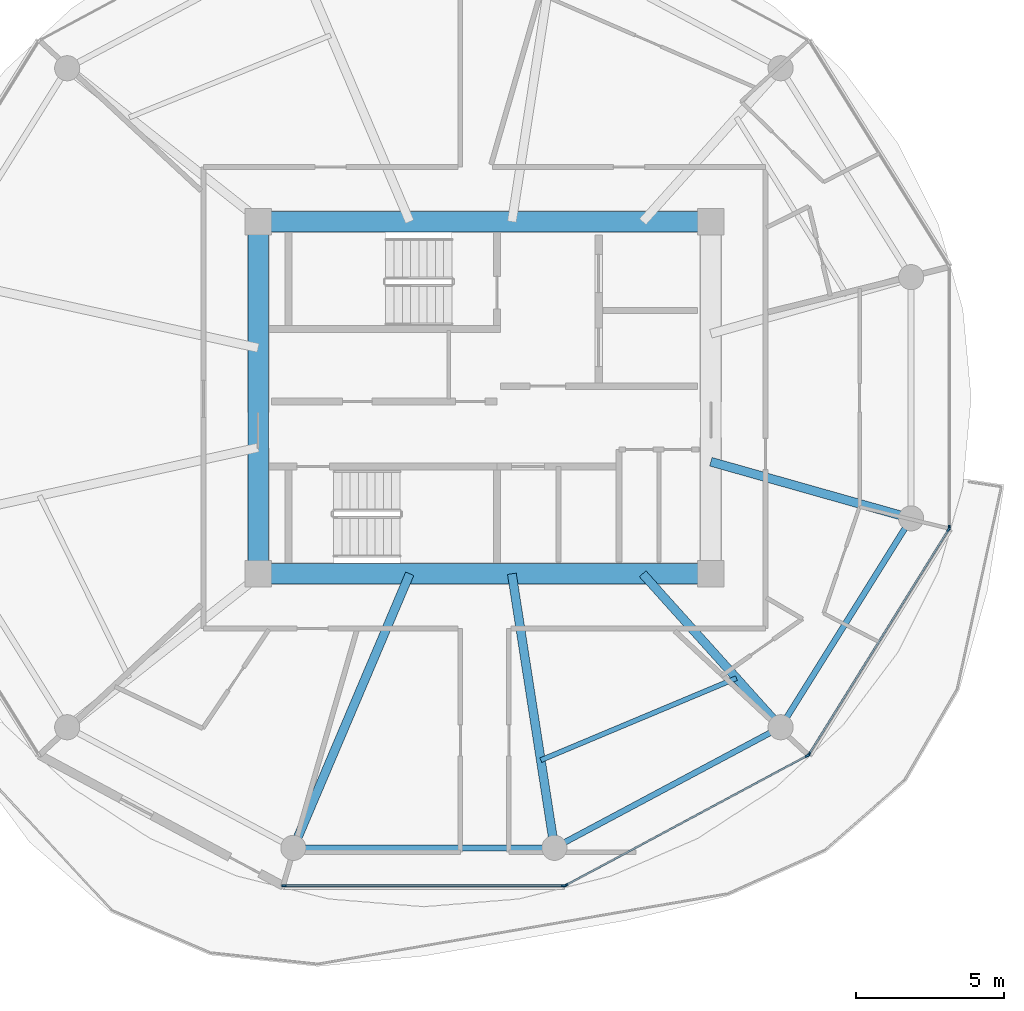
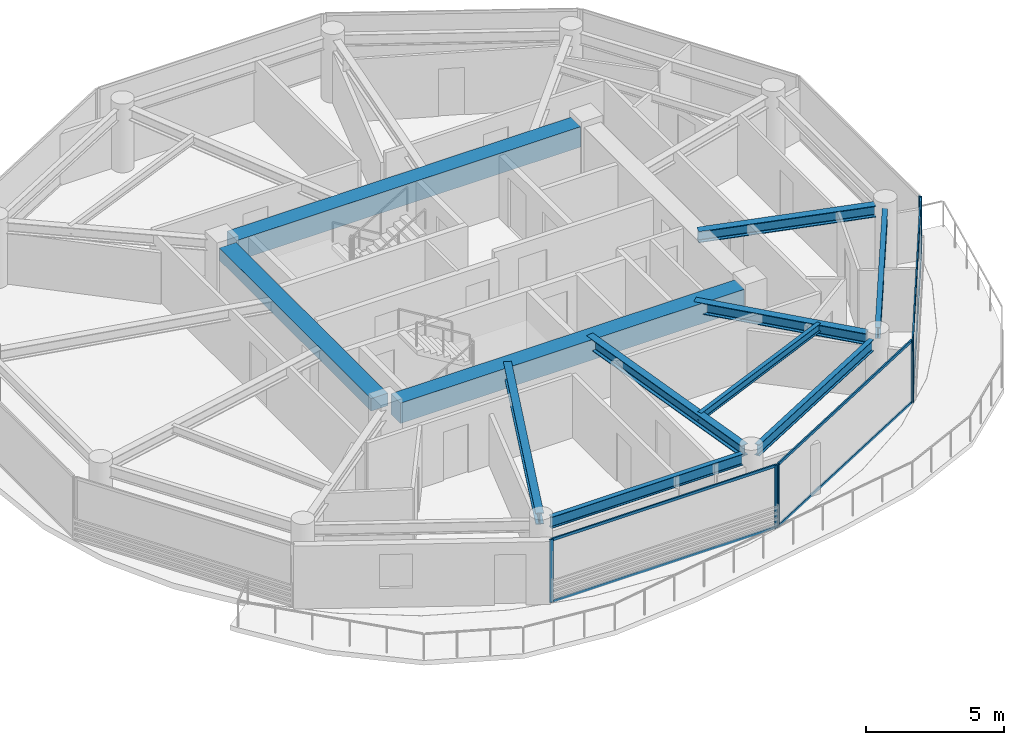
# One storey, part 10 of 22: 13 members, 11 beams, 4 elements without a shape of their own.
"""IFC4 building model written with IfcOpenShell, lengths in metres."""

from ifc_helpers import new_model, si_unit, direction, frame, origin, origin_2d, place, context, subcontext, project, spatial, rectangle, i_section, extrude, source, transform, mapped, material, layer, layer_set, material_profile, profile_set, type_object, type_shapes, element, aggregate, save


model = new_model("IFC4")

# Units and contexts
model_context = context("Model", 3, precision=1e-05, world=origin(), true_north=direction((0.0, 1.0)))
body_context = subcontext(model_context, "Body", "Model", "MODEL_VIEW")
ifc_project = project(units=[si_unit("LENGTHUNIT", "METRE"), si_unit("AREAUNIT", "SQUARE_METRE"), si_unit("VOLUMEUNIT", "CUBIC_METRE"), si_unit("PLANEANGLEUNIT", "RADIAN"), si_unit("MASSUNIT", "GRAM", prefix="KILO")], contexts=[model_context])

# Site, building, storey
site_placement = place(None, origin())
site = spatial("IfcSite", under=ifc_project, at=site_placement, CompositionType="ELEMENT")
building_placement = place(site_placement, origin())
building = spatial("IfcBuilding", under=site, at=building_placement, Name="Norrkilde Senior Care Towers", CompositionType="ELEMENT")
storey_placement = place(building_placement, frame((0.0, 0.0, 87.10009765625)))
storey = spatial("IfcBuildingStorey", under=building, at=storey_placement, Name="L26", CompositionType="ELEMENT", Elevation=87.10009765625)

# Beams
ifc_material_1 = material(Name="Concrete C60/75", Category="concrete")
ifc_material_profile_1 = material_profile(ifc_material_1, rectangle(XDim=0.699951171875, YDim=0.89990234375, at=origin_2d()), Name="RC BM 700x900")
ifc_profile_set_1 = profile_set([ifc_material_profile_1], Name="Concrete C60/75")
beam_type_1 = type_object("IfcBeamType", Name="Core Coupling Girder 700x900", PredefinedType="USERDEFINED", material=ifc_profile_set_1)
shared_shape_1 = source(origin(), body_context, "Body", "SweptSolid", [
    extrude(rectangle(XDim=0.699951171875, YDim=0.89990234375, at=origin_2d()), origin(), (0.0, 0.0, 1.0), 14.43994140625),
])
type_shapes(beam_type_1, [shared_shape_1])
for number, where, z_axis, x_axis, name in (
    (1, (20.780029296875, 5.949951171875, 2.33984375), (1.0, 0.0, 0.0), (0.0, 1.0, 0.0), "L26 Core E N Coupling Girder"),
    (2, (20.780029296875, -5.949951171875, 2.33984375), (1.0, 0.0, 0.0), (0.0, 1.0, 0.0), "L26 Core E S Coupling Girder"),
):
    element("IfcBeam", number, at=place(storey_placement, frame(where, z_axis=z_axis, x_axis=x_axis)), inside=storey, type_object=beam_type_1, Name=name, ObjectType="GIRDER", PredefinedType="USERDEFINED", context=body_context, shape_type="MappedRepresentation", body=[
        mapped(shared_shape_1, transform((0.0, 0.0, 0.0), x_axis=(1.0, 0.0, 0.0), y_axis=(0.0, 1.0, 0.0), z_axis=(0.0, 0.0, 1.0), scale=1.0)),
    ])
ifc_material_profile_2 = material_profile(ifc_material_1, rectangle(XDim=0.699951171875, YDim=0.550048828125, at=origin_2d()), Name="RC BM 700x550")
ifc_profile_set_2 = profile_set([ifc_material_profile_2], Name="Concrete C60/75")
beam_type_2 = type_object("IfcBeamType", Name="Core Portal Coupling Beam 700x550", PredefinedType="USERDEFINED", material=ifc_profile_set_2)
shared_shape_2 = source(origin(), body_context, "Body", "SweptSolid", [
    extrude(rectangle(XDim=0.699951171875, YDim=0.550048828125, at=origin_2d()), origin(), (0.0, 0.0, 1.0), 11.0400390625),
])
type_shapes(beam_type_2, [shared_shape_2])
beam_1_placement = place(storey_placement, frame((20.35009765625, -5.52001953125, 2.514892578125), z_axis=(0.0, 1.0, 0.0), x_axis=(-1.0, 0.0, 0.0)))
element("IfcBeam", 3, at=beam_1_placement, inside=storey, type_object=beam_type_2, Name="L26 Core E W Coupling Girder", ObjectType="GIRDER", PredefinedType="USERDEFINED", context=body_context, shape_type="MappedRepresentation", body=[
    mapped(shared_shape_2, transform((0.0, 0.0, 0.0), x_axis=(1.0, 0.0, 0.0), y_axis=(0.0, 1.0, 0.0), z_axis=(0.0, 0.0, 1.0), scale=1.0)),
])
ifc_material_2 = material(Name="Steel S355", Category="steel")
ifc_material_profile_3 = material_profile(ifc_material_2, i_section(OverallWidth=0.199951171875, OverallDepth=0.5, WebThickness=0.01025390625, FlangeThickness=0.01611328125, FilletRadius=0.02099609375, at=origin_2d()), Name="IPE 500")
ifc_profile_set_3 = profile_set([ifc_material_profile_3], Name="Steel S355")
beam_type_3 = type_object("IfcBeamType", Name="Perimeter Ring Spandrel Z2 IPE500", PredefinedType="SPANDREL", material=ifc_profile_set_3)
shared_shape_3 = source(origin(), body_context, "Body", "SweptSolid", [
    extrude(i_section(OverallWidth=0.199951171875, OverallDepth=0.5, WebThickness=0.01025390625, FlangeThickness=0.01611328125, FilletRadius=0.02099609375, at=origin_2d()), origin(), (0.0, 0.0, 1.0), 7.892333984375),
])
beam_2_placement = place(storey_placement, frame((30.70263671875, -15.0322265625, 2.539794921875), z_axis=(0.882350372282, 0.47059305194, 0.0), x_axis=(-0.47059305194, 0.882350372282, 0.0)))
element("IfcBeam", 4, at=beam_2_placement, inside=storey, type_object=beam_type_3, Name="L26 Drum E Perimeter Spandrel 10", PredefinedType="SPANDREL", context=body_context, shape_type="MappedRepresentation", body=[
    mapped(shared_shape_3, transform((0.0, 0.0, 0.0), x_axis=(1.0, 0.0, 0.0), y_axis=(0.0, 1.0, 0.0), z_axis=(0.0, 0.0, 1.0), scale=1.0)),
])
shared_shape_4 = source(origin(), body_context, "Body", "SweptSolid", [
    extrude(i_section(OverallWidth=0.199951171875, OverallDepth=0.5, WebThickness=0.01025390625, FlangeThickness=0.01611328125, FilletRadius=0.02099609375, at=origin_2d()), origin(), (0.0, 0.0, 1.0), 8.0556640625),
])
beam_3_placement = place(storey_placement, frame((21.922119140625, -15.21337890625, 2.539794921875), z_axis=(1.0, 0.0, 0.0), x_axis=(0.0, 1.0, 0.0)))
element("IfcBeam", 5, at=beam_3_placement, inside=storey, type_object=beam_type_3, Name="L26 Drum E Perimeter Spandrel 09", PredefinedType="SPANDREL", context=body_context, shape_type="MappedRepresentation", body=[
    mapped(shared_shape_4, transform((0.0, 0.0, 0.0), x_axis=(1.0, 0.0, 0.0), y_axis=(0.0, 1.0, 0.0), z_axis=(0.0, 0.0, 1.0), scale=1.0)),
])
ifc_material_profile_4 = material_profile(ifc_material_2, i_section(OverallWidth=0.300048828125, OverallDepth=0.5, WebThickness=0.014404296875, FlangeThickness=0.028076171875, FilletRadius=0.027099609375, at=origin_2d()), Name="HEB 500")
ifc_profile_set_4 = profile_set([ifc_material_profile_4], Name="Steel S355")
beam_type_4 = type_object("IfcBeamType", Name="Radial Floor Beam Z2 HEB500", PredefinedType="BEAM", material=ifc_profile_set_4)
shared_shape_5 = source(origin(), body_context, "Body", "SweptSolid", [
    extrude(i_section(OverallWidth=0.300048828125, OverallDepth=0.5, WebThickness=0.014404296875, FlangeThickness=0.028076171875, FilletRadius=0.027099609375, at=origin_2d()), origin(), (0.0, 0.0, 1.0), 9.679443359375),
])
beam_4_placement = place(storey_placement, frame((25.472412109375, -5.949951171875, 2.539794921875), z_axis=(-0.390998033479, -0.920391513333, 0.0), x_axis=(0.920391513333, -0.390998033479, 0.0)))
element("IfcBeam", 6, at=beam_4_placement, inside=storey, type_object=beam_type_4, Name="L26 Drum E Radial Floor Beam 09", PredefinedType="BEAM", context=body_context, shape_type="MappedRepresentation", body=[
    mapped(shared_shape_5, transform((0.0, 0.0, 0.0), x_axis=(1.0, 0.0, 0.0), y_axis=(0.0, 1.0, 0.0), z_axis=(0.0, 0.0, 1.0), scale=1.0)),
])
shared_shape_6 = source(origin(), body_context, "Body", "SweptSolid", [
    extrude(i_section(OverallWidth=0.300048828125, OverallDepth=0.5, WebThickness=0.014404296875, FlangeThickness=0.028076171875, FilletRadius=0.027099609375, at=origin_2d()), origin(), (0.0, 0.0, 1.0), 8.989501953125),
])
beam_5_placement = place(storey_placement, frame((28.924072265625, -5.949951171875, 2.539794921875), z_axis=(0.153471298636, -0.988153105796, 0.0), x_axis=(0.988153105796, 0.153471298636, 0.0)))
element("IfcBeam", 7, at=beam_5_placement, inside=storey, type_object=beam_type_4, Name="L26 Drum E Radial Floor Beam 10", PredefinedType="BEAM", context=body_context, shape_type="MappedRepresentation", body=[
    mapped(shared_shape_6, transform((0.0, 0.0, 0.0), x_axis=(1.0, 0.0, 0.0), y_axis=(0.0, 1.0, 0.0), z_axis=(0.0, 0.0, 1.0), scale=1.0)),
])
shared_shape_7 = source(origin(), body_context, "Body", "SweptSolid", [
    extrude(i_section(OverallWidth=0.199951171875, OverallDepth=0.5, WebThickness=0.01025390625, FlangeThickness=0.01611328125, FilletRadius=0.02099609375, at=origin_2d()), origin(), (0.0, 0.0, 1.0), 7.556396484375),
])
type_shapes(beam_type_3, [shared_shape_3, shared_shape_4, shared_shape_7])
beam_6_placement = place(storey_placement, frame((38.210205078125, -10.810546875, 2.539794921875), z_axis=(0.530004748437, 0.847994673706, 0.0), x_axis=(-0.847994673706, 0.530004748437, 0.0)))
element("IfcBeam", 8, at=beam_6_placement, inside=storey, type_object=beam_type_3, Name="L26 Drum E Perimeter Spandrel 11", PredefinedType="SPANDREL", context=body_context, shape_type="MappedRepresentation", body=[
    mapped(shared_shape_7, transform((0.0, 0.0, 0.0), x_axis=(1.0, 0.0, 0.0), y_axis=(0.0, 1.0, 0.0), z_axis=(0.0, 0.0, 1.0), scale=1.0)),
])
shared_shape_8 = source(origin(), body_context, "Body", "SweptSolid", [
    extrude(i_section(OverallWidth=0.300048828125, OverallDepth=0.5, WebThickness=0.014404296875, FlangeThickness=0.028076171875, FilletRadius=0.027099609375, at=origin_2d()), origin(), (0.0, 0.0, 1.0), 6.587890625),
])
beam_7_placement = place(storey_placement, frame((33.345947265625, -5.949951171875, 2.539794921875), z_axis=(0.668315438605, -0.743877997068, 0.0), x_axis=(0.743877997068, 0.668315438605, 0.0)))
element("IfcBeam", 9, at=beam_7_placement, inside=storey, type_object=beam_type_4, Name="L26 Drum E Radial Floor Beam 11", PredefinedType="BEAM", context=body_context, shape_type="MappedRepresentation", body=[
    mapped(shared_shape_8, transform((0.0, 0.0, 0.0), x_axis=(1.0, 0.0, 0.0), y_axis=(0.0, 1.0, 0.0), z_axis=(0.0, 0.0, 1.0), scale=1.0)),
])
shared_shape_9 = source(origin(), body_context, "Body", "SweptSolid", [
    extrude(i_section(OverallWidth=0.300048828125, OverallDepth=0.5, WebThickness=0.014404296875, FlangeThickness=0.028076171875, FilletRadius=0.027099609375, at=origin_2d()), origin(), (0.0, 0.0, 1.0), 6.6494140625),
])
type_shapes(beam_type_4, [shared_shape_5, shared_shape_6, shared_shape_8, shared_shape_9])
beam_8_placement = place(storey_placement, frame((35.64990234375, -2.162841796875, 2.539794921875), z_axis=(0.962289138357, -0.27202870106, 0.0), x_axis=(0.27202870106, 0.962289138357, 0.0)))
element("IfcBeam", 10, at=beam_8_placement, inside=storey, type_object=beam_type_4, Name="L26 Drum E Radial Floor Beam 12", PredefinedType="BEAM", context=body_context, shape_type="MappedRepresentation", body=[
    mapped(shared_shape_9, transform((0.0, 0.0, 0.0), x_axis=(1.0, 0.0, 0.0), y_axis=(0.0, 1.0, 0.0), z_axis=(0.0, 0.0, 1.0), scale=1.0)),
])
ifc_material_profile_5 = material_profile(ifc_material_2, i_section(OverallWidth=0.169921875, OverallDepth=0.360107421875, WebThickness=0.008056640625, FlangeThickness=0.0126953125, FilletRadius=0.01806640625, at=origin_2d()), Name="IPE 360")
ifc_profile_set_5 = profile_set([ifc_material_profile_5], Name="Steel S355")
beam_type_5 = type_object("IfcBeamType", Name="Secondary Floor Joist IPE360", PredefinedType="JOIST", material=ifc_profile_set_5)
shared_shape_10 = source(origin(), body_context, "Body", "SweptSolid", [
    extrude(i_section(OverallWidth=0.169921875, OverallDepth=0.360107421875, WebThickness=0.008056640625, FlangeThickness=0.0126953125, FilletRadius=0.01806640625, at=origin_2d()), origin(), (0.0, 0.0, 1.0), 7.169921875),
])
type_shapes(beam_type_5, [shared_shape_10])
beam_9_placement = place(storey_placement, frame((29.902587890625, -12.2490234375, 2.60986328125), z_axis=(0.922240600393, 0.386616444279, 0.0), x_axis=(-0.386616444279, 0.922240600393, 0.0)))
element("IfcBeam", 11, at=beam_9_placement, inside=storey, type_object=beam_type_5, Name="L26 Drum E Secondary Floor Joist 4", PredefinedType="JOIST", context=body_context, shape_type="MappedRepresentation", body=[
    mapped(shared_shape_10, transform((0.0, 0.0, 0.0), x_axis=(1.0, 0.0, 0.0), y_axis=(0.0, 1.0, 0.0), z_axis=(0.0, 0.0, 1.0), scale=1.0)),
])

# Curtain wall, members
ifc_material_3 = material(Name="Triple Low-E Insulated Glazing", Category="glass")
ifc_layer = layer(ifc_material_3, 0.195068359375)
ifc_layer_set = layer_set([ifc_layer], Name="Triple Low-E Insulated Glazing")
curtain_wall_type = type_object("IfcCurtainWallType", Name="CW3 Zone 2 Assisted Living Curtain Wall", PredefinedType="NOTDEFINED", material=ifc_layer_set)
curtain_wall_1_placement = place(storey_placement, origin())
curtain_wall_1 = element("IfcCurtainWall", 12, at=curtain_wall_1_placement, inside=storey, type_object=curtain_wall_type, Name="L26 Drum E Curtain Wall 08", PredefinedType="NOTDEFINED")
ifc_material_4 = material(Name="Anodised Aluminium", Category="aluminium")
ifc_material_profile_6 = material_profile(ifc_material_4, rectangle(XDim=0.06494140625, YDim=0.159912109375, at=origin_2d()), Name="ALU MULL 65x160")
ifc_profile_set_6 = profile_set([ifc_material_profile_6], Name="Anodised Aluminium")
member_type_1 = type_object("IfcMemberType", Name="Curtain Wall Mullion Z1-Z2 65x160", PredefinedType="MULLION", material=ifc_profile_set_6)
shared_shape_11 = source(origin(), body_context, "Body", "SweptSolid", [
    extrude(rectangle(XDim=0.06494140625, YDim=0.159912109375, at=origin_2d()), origin(), (0.0, 0.0, 1.0), 2.789794921875),
])
type_shapes(member_type_1, [shared_shape_11])
member_1_placement = place(storey_placement, frame((30.674560546875, -16.498046875, 0.0), z_axis=(0.0, 0.0, 1.0), x_axis=(0.0, -1.0, 0.0)))
member_1 = element("IfcMember", 13, at=member_1_placement, type_object=member_type_1, Name="CW-3 mullion 1", PredefinedType="MULLION", context=body_context, shape_type="MappedRepresentation", body=[
    mapped(shared_shape_11, transform((0.0, 0.0, 0.0), x_axis=(1.0, 0.0, 0.0), y_axis=(0.0, 1.0, 0.0), z_axis=(0.0, 0.0, 1.0), scale=1.0)),
])
member_2_placement = place(storey_placement, frame((21.225341796875, -16.498046875, 0.0), z_axis=(0.0, 0.0, 1.0), x_axis=(0.0, -1.0, 0.0)))
member_2 = element("IfcMember", 14, at=member_2_placement, type_object=member_type_1, Name="CW-3 mullion 2", PredefinedType="MULLION", context=body_context, shape_type="MappedRepresentation", body=[
    mapped(shared_shape_11, transform((0.0, 0.0, 0.0), x_axis=(1.0, 0.0, 0.0), y_axis=(0.0, 1.0, 0.0), z_axis=(0.0, 0.0, 1.0), scale=1.0)),
])

curtain_wall_2_placement = place(storey_placement, origin())
curtain_wall_2 = element("IfcCurtainWall", 15, at=curtain_wall_2_placement, inside=storey, type_object=curtain_wall_type, Name="L26 Drum E Curtain Wall 09", PredefinedType="NOTDEFINED")
member_3_placement = place(storey_placement, frame((38.91796875, -12.0927734375, 0.0), z_axis=(0.0, 0.0, 1.0), x_axis=(0.472769402511, -0.881186184668, 0.0)))
member_3 = element("IfcMember", 16, at=member_3_placement, type_object=member_type_1, Name="CW-3 mullion 1", PredefinedType="MULLION", context=body_context, shape_type="MappedRepresentation", body=[
    mapped(shared_shape_11, transform((0.0, 0.0, 0.0), x_axis=(1.0, 0.0, 0.0), y_axis=(0.0, 1.0, 0.0), z_axis=(0.0, 0.0, 1.0), scale=1.0)),
])
member_4_placement = place(storey_placement, frame((30.73583984375, -16.482666015625, 0.0), z_axis=(0.0, 0.0, 1.0), x_axis=(0.472769402511, -0.881186184668, 0.0)))
member_4 = element("IfcMember", 17, at=member_4_placement, type_object=member_type_1, Name="CW-3 mullion 2", PredefinedType="MULLION", context=body_context, shape_type="MappedRepresentation", body=[
    mapped(shared_shape_11, transform((0.0, 0.0, 0.0), x_axis=(1.0, 0.0, 0.0), y_axis=(0.0, 1.0, 0.0), z_axis=(0.0, 0.0, 1.0), scale=1.0)),
])

curtain_wall_3_placement = place(storey_placement, origin())
curtain_wall_3 = element("IfcCurtainWall", 18, at=curtain_wall_3_placement, inside=storey, type_object=curtain_wall_type, Name="L26 Drum E Curtain Wall 10", PredefinedType="NOTDEFINED")
member_5_placement = place(storey_placement, frame((43.6865234375, -4.4482421875, 0.0), z_axis=(0.0, 0.0, 1.0), x_axis=(0.849410171862, -0.527733228002, 0.0)))
member_5 = element("IfcMember", 19, at=member_5_placement, type_object=member_type_1, Name="CW-3 mullion 1", PredefinedType="MULLION", context=body_context, shape_type="MappedRepresentation", body=[
    mapped(shared_shape_11, transform((0.0, 0.0, 0.0), x_axis=(1.0, 0.0, 0.0), y_axis=(0.0, 1.0, 0.0), z_axis=(0.0, 0.0, 1.0), scale=1.0)),
])
member_6_placement = place(storey_placement, frame((38.9638671875, -12.0498046875, 0.0), z_axis=(0.0, 0.0, 1.0), x_axis=(0.849410171862, -0.527733228002, 0.0)))
member_6 = element("IfcMember", 20, at=member_6_placement, type_object=member_type_1, Name="CW-3 mullion 2", PredefinedType="MULLION", context=body_context, shape_type="MappedRepresentation", body=[
    mapped(shared_shape_11, transform((0.0, 0.0, 0.0), x_axis=(1.0, 0.0, 0.0), y_axis=(0.0, 1.0, 0.0), z_axis=(0.0, 0.0, 1.0), scale=1.0)),
])

# Curtain wall, member
curtain_wall_4_placement = place(storey_placement, origin())
curtain_wall_4 = element("IfcCurtainWall", 21, at=curtain_wall_4_placement, inside=storey, type_object=curtain_wall_type, Name="L26 Drum E Curtain Wall 11", PredefinedType="NOTDEFINED")
member_7_placement = place(storey_placement, frame((43.70361328125, -4.38818359375, 0.0), z_axis=(0.0, 0.0, 1.0), x_axis=(1.0, 0.0, 0.0)))
member_7 = element("IfcMember", 22, at=member_7_placement, type_object=member_type_1, Name="CW-3 mullion 2", PredefinedType="MULLION", context=body_context, shape_type="MappedRepresentation", body=[
    mapped(shared_shape_11, transform((0.0, 0.0, 0.0), x_axis=(1.0, 0.0, 0.0), y_axis=(0.0, 1.0, 0.0), z_axis=(0.0, 0.0, 1.0), scale=1.0)),
])
aggregate(curtain_wall_4, [member_7])

# Member
ifc_material_profile_7 = material_profile(ifc_material_4, rectangle(XDim=0.06005859375, YDim=0.1201171875, at=origin_2d()), Name="ALU TRAN 60x120")
ifc_profile_set_7 = profile_set([ifc_material_profile_7], Name="Anodised Aluminium")
member_type_2 = type_object("IfcMemberType", Name="Curtain Wall Transom Typical 60x120", PredefinedType="USERDEFINED", material=ifc_profile_set_7)
shared_shape_12 = source(origin(), body_context, "Body", "SweptSolid", [
    extrude(rectangle(XDim=0.06005859375, YDim=0.1201171875, at=origin_2d()), origin(), (0.0, 0.0, 1.0), 8.88427734375),
])
member_8_placement = place(storey_placement, frame((43.66943359375, -4.475830078125, 0.02978515625), z_axis=(-0.527729466743, -0.849412508697, 0.0), x_axis=(0.849412508697, -0.527729466743, 0.0)))
member_8 = element("IfcMember", 23, at=member_8_placement, type_object=member_type_2, Name="CW-3 transom 1.1", ObjectType="TRANSOM", PredefinedType="USERDEFINED", context=body_context, shape_type="MappedRepresentation", body=[
    mapped(shared_shape_12, transform((0.0, 0.0, 0.0), x_axis=(1.0, 0.0, 0.0), y_axis=(0.0, 1.0, 0.0), z_axis=(0.0, 0.0, 1.0), scale=1.0)),
])

member_9_placement = place(storey_placement, frame((43.66943359375, -4.475830078125, 2.760009765625), z_axis=(-0.527729466743, -0.849412508697, 0.0), x_axis=(0.849412508697, -0.527729466743, 0.0)))
member_9 = element("IfcMember", 24, at=member_9_placement, type_object=member_type_2, Name="CW-3 transom 1.2", ObjectType="TRANSOM", PredefinedType="USERDEFINED", context=body_context, shape_type="MappedRepresentation", body=[
    mapped(shared_shape_12, transform((0.0, 0.0, 0.0), x_axis=(1.0, 0.0, 0.0), y_axis=(0.0, 1.0, 0.0), z_axis=(0.0, 0.0, 1.0), scale=1.0)),
])

aggregate(curtain_wall_3, [member_5, member_6, member_8, member_9])

shared_shape_13 = source(origin(), body_context, "Body", "SweptSolid", [
    extrude(rectangle(XDim=0.06005859375, YDim=0.1201171875, at=origin_2d()), origin(), (0.0, 0.0, 1.0), 9.220458984375),
])
member_10_placement = place(storey_placement, frame((38.889404296875, -12.108154296875, 0.02978515625), z_axis=(-0.881188517866, -0.472765053681, 0.0), x_axis=(0.472765053681, -0.881188517866, 0.0)))
member_10 = element("IfcMember", 25, at=member_10_placement, type_object=member_type_2, Name="CW-3 transom 1.1", ObjectType="TRANSOM", PredefinedType="USERDEFINED", context=body_context, shape_type="MappedRepresentation", body=[
    mapped(shared_shape_13, transform((0.0, 0.0, 0.0), x_axis=(1.0, 0.0, 0.0), y_axis=(0.0, 1.0, 0.0), z_axis=(0.0, 0.0, 1.0), scale=1.0)),
])

member_11_placement = place(storey_placement, frame((38.889404296875, -12.108154296875, 2.760009765625), z_axis=(-0.881188517866, -0.472765053681, 0.0), x_axis=(0.472765053681, -0.881188517866, 0.0)))
member_11 = element("IfcMember", 26, at=member_11_placement, type_object=member_type_2, Name="CW-3 transom 1.2", ObjectType="TRANSOM", PredefinedType="USERDEFINED", context=body_context, shape_type="MappedRepresentation", body=[
    mapped(shared_shape_13, transform((0.0, 0.0, 0.0), x_axis=(1.0, 0.0, 0.0), y_axis=(0.0, 1.0, 0.0), z_axis=(0.0, 0.0, 1.0), scale=1.0)),
])

aggregate(curtain_wall_2, [member_3, member_4, member_10, member_11])

shared_shape_14 = source(origin(), body_context, "Body", "SweptSolid", [
    extrude(rectangle(XDim=0.06005859375, YDim=0.1201171875, at=origin_2d()), origin(), (0.0, 0.0, 1.0), 9.38427734375),
])
type_shapes(member_type_2, [shared_shape_12, shared_shape_13, shared_shape_14])
member_12_placement = place(storey_placement, frame((30.64208984375, -16.498046875, 0.02978515625), z_axis=(-1.0, 0.0, 0.0), x_axis=(0.0, -1.0, 0.0)))
member_12 = element("IfcMember", 27, at=member_12_placement, type_object=member_type_2, Name="CW-3 transom 1.1", ObjectType="TRANSOM", PredefinedType="USERDEFINED", context=body_context, shape_type="MappedRepresentation", body=[
    mapped(shared_shape_14, transform((0.0, 0.0, 0.0), x_axis=(1.0, 0.0, 0.0), y_axis=(0.0, 1.0, 0.0), z_axis=(0.0, 0.0, 1.0), scale=1.0)),
])

member_13_placement = place(storey_placement, frame((30.64208984375, -16.498046875, 2.760009765625), z_axis=(-1.0, 0.0, 0.0), x_axis=(0.0, -1.0, 0.0)))
member_13 = element("IfcMember", 28, at=member_13_placement, type_object=member_type_2, Name="CW-3 transom 1.2", ObjectType="TRANSOM", PredefinedType="USERDEFINED", context=body_context, shape_type="MappedRepresentation", body=[
    mapped(shared_shape_14, transform((0.0, 0.0, 0.0), x_axis=(1.0, 0.0, 0.0), y_axis=(0.0, 1.0, 0.0), z_axis=(0.0, 0.0, 1.0), scale=1.0)),
])

aggregate(curtain_wall_1, [member_1, member_2, member_12, member_13])

save(model, "model.ifc")
